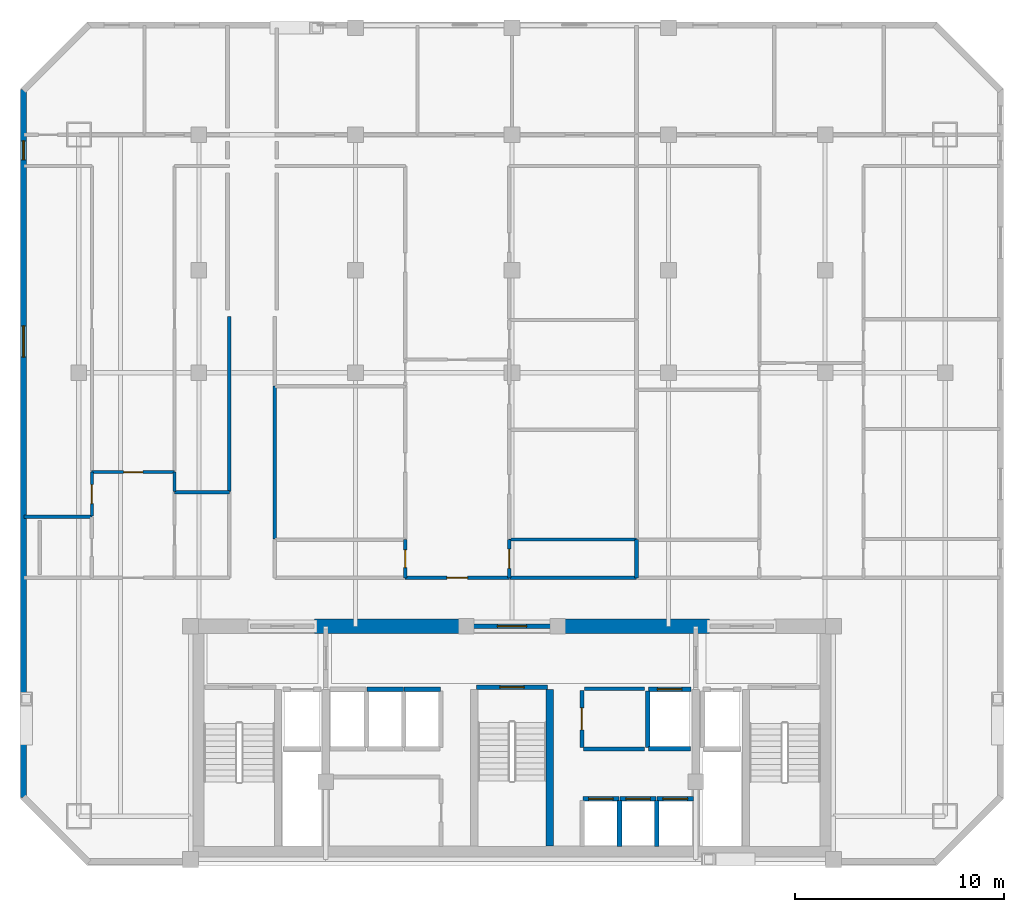
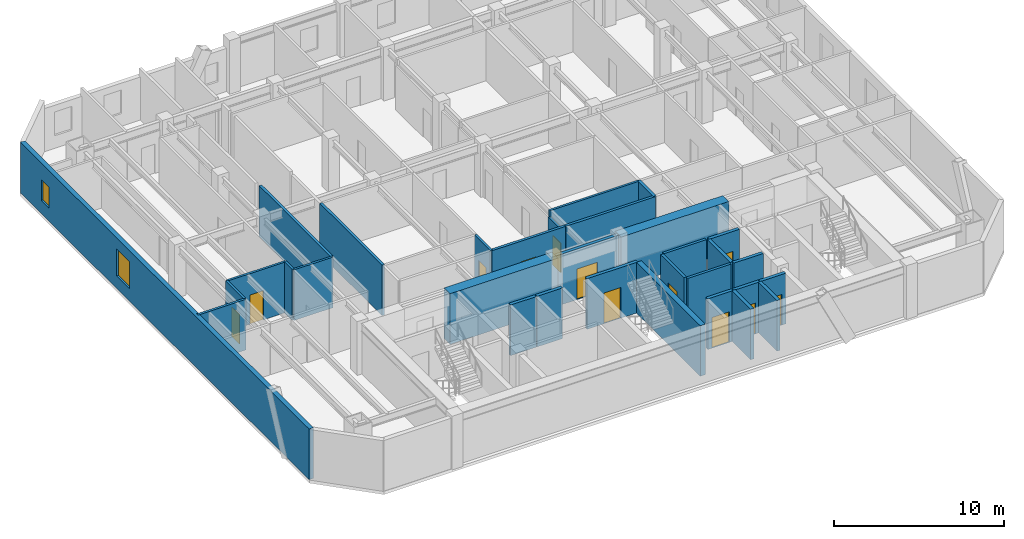
# One storey, part 3 of 8: 32 walls, 12 doors, 2 windows, 14 openings.
"""IFC4 building model written with IfcOpenShell, lengths in metres."""

from ifc_helpers import new_model, si_unit, direction, frame, frame_2d, origin, place, context, subcontext, project, spatial, rectangle, extrude, material, layer, layer_set, type_object, element, fill, save


model = new_model("IFC4")

# Units and contexts
model_context = context("Model", 3, precision=1e-05, world=origin(), true_north=direction((0.0, 1.0)))
body_context = subcontext(model_context, "Body", "Model", "MODEL_VIEW")
ifc_project = project(units=[si_unit("LENGTHUNIT", "METRE"), si_unit("AREAUNIT", "SQUARE_METRE"), si_unit("VOLUMEUNIT", "CUBIC_METRE"), si_unit("PLANEANGLEUNIT", "RADIAN"), si_unit("MASSUNIT", "GRAM", prefix="KILO")], contexts=[model_context])

# Site, building, storey
site_placement = place(None, origin())
site = spatial("IfcSite", under=ifc_project, at=site_placement, CompositionType="ELEMENT")
building_placement = place(site_placement, origin())
building = spatial("IfcBuilding", under=site, at=building_placement, Name="Ventersveld Concourse Tower", CompositionType="ELEMENT")
storey_placement = place(building_placement, frame((0.0, 0.0, 164.449951171875)))
storey = spatial("IfcBuildingStorey", under=building, at=storey_placement, Name="L40", CompositionType="ELEMENT", Elevation=164.449951171875)

# Walls
ifc_material_1 = material(Name="Concrete C60/75", Category="concrete")
ifc_layer_1 = layer(ifc_material_1, 0.35009765625)
ifc_layer_set_1 = layer_set([ifc_layer_1], Name="Concrete C60/75")
wall_type_1 = type_object("IfcWallType", Name="WL-CORE-350L", PredefinedType="SHEAR", material=ifc_layer_set_1)
wall_1_placement = place(storey_placement, frame((30.56005859375, 0.919921875, 0.0), z_axis=(0.0, 0.0, 1.0), x_axis=(0.0, 1.0, 0.0)))
element("IfcWall", 1, at=wall_1_placement, inside=storey, type_object=wall_type_1, Name="L40 Core Internal Shear Web W-ST3-E", PredefinedType="SHEAR", context=body_context, shape_type="SweptSolid", body=[
    extrude(rectangle(XDim=7.5, YDim=0.35009765625, at=frame_2d((3.75, 0.0))), origin(), (0.0, 0.0, 1.0), 3.630126953125),
])
ifc_layer_2 = layer(ifc_material_1, 0.699951171875)
ifc_layer_set_2 = layer_set([ifc_layer_2], Name="Concrete C60/75")
wall_type_2 = type_object("IfcWallType", Name="WL-CORE-700", PredefinedType="SHEAR", material=ifc_layer_set_2)
for number, where, z_axis, x_axis, name in (
    (2, (19.300048828125, 11.449951171875, 0.0), (0.0, 0.0, 1.0), (1.0, 0.0, 0.0), "L40 Rear Core North Shear Wall NML"),
    (3, (30.89990234375, 11.449951171875, 0.0), (0.0, 0.0, 1.0), (1.0, 0.0, 0.0), "L40 Rear Core North Shear Wall NMR"),
):
    element("IfcWall", number, at=place(storey_placement, frame(where, z_axis=z_axis, x_axis=x_axis)), inside=storey, type_object=wall_type_2, Name=name, PredefinedType="SHEAR", context=body_context, shape_type="SweptSolid", body=[
        extrude(rectangle(XDim=7.300048828125, YDim=0.699951171875, at=frame_2d((3.64990234375, 0.0))), origin(), (0.0, 0.0, 1.0), 3.630126953125),
    ])

# Wall, opening, door
ifc_material_2 = material(Name="Fire-rated autoclaved aerated masonry blockwork", Category="masonry")
ifc_layer_3 = layer(ifc_material_2, 0.179931640625)
ifc_layer_set_3 = layer_set([ifc_layer_3], Name="Fire-rated autoclaved aerated masonry blockwork")
wall_type_3 = type_object("IfcWallType", Name="WL-CORR-180", PredefinedType="PARTITIONING", material=ifc_layer_set_3)
wall_2_placement = place(storey_placement, frame((32.10009765625, 5.64990234375, 0.0), z_axis=(0.0, 0.0, 1.0), x_axis=(0.0, 1.0, 0.0)))
wall_2 = element("IfcWall", 4, at=wall_2_placement, inside=storey, type_object=wall_type_3, Name="L40 Core Passage Wall SP-L40-CBAY1", PredefinedType="PARTITIONING", context=body_context, shape_type="SweptSolid", body=[
    extrude(rectangle(XDim=2.72998046875, YDim=0.179931640625, at=frame_2d((1.364990234375, 0.0))), origin(), (0.0, 0.0, 1.0), 3.630126953125),
])
opening_1_placement = place(wall_2_placement, frame((0.840087890625, 0.0, 0.0)))
opening_1 = element("IfcOpeningElement", 5, at=opening_1_placement, cuts=wall_2, Name="Opening ID3", PredefinedType="OPENING", context=body_context, shape_type="SweptSolid", body=[
    extrude(rectangle(XDim=1.050048828125, YDim=2.14990234375, at=frame_2d((0.52490234375, 1.074951171875))), frame((0.0, 0.10009765625, 0.0), z_axis=(0.0, -1.0, 0.0), x_axis=(1.0, 0.0, 0.0)), (0.0, 0.0, 1.0), 0.199951171875),
])
ifc_material_3 = material(Name="Solid-core hardwood veneer timber", Category="wood")
door_type_1 = type_object("IfcDoorType", Name="DR-AWC-105", OperationType="NOTDEFINED", PredefinedType="DOOR", material=ifc_material_3)
door_1_placement = place(opening_1_placement, origin())
door_1 = element("IfcDoor", 6, at=door_1_placement, inside=storey, type_object=door_type_1, Name="L40 Core Room Door L40 Core Unisex Accessible WC (CD-L40-1953)", OperationType="SINGLE_SWING_RIGHT", OverallHeight=2.14990234375, OverallWidth=1.050048828125, PredefinedType="DOOR", context=body_context, shape_type="SweptSolid", body=[
    extrude(rectangle(XDim=1.050048828125, YDim=2.14990234375, at=frame_2d((0.52490234375, 1.074951171875))), frame((0.0, 0.02490234375, 0.0), z_axis=(0.0, -1.0, 0.0), x_axis=(1.0, 0.0, 0.0)), (0.0, 0.0, 1.0), 0.050048828125),
])
fill(opening_1, door_1)

# Walls
wall_3_placement = place(storey_placement, frame((32.219970703125, 8.4599609375, 0.0), z_axis=(0.0, 0.0, 1.0), x_axis=(1.0, 0.0, 0.0)))
element("IfcWall", 7, at=wall_3_placement, inside=storey, type_object=wall_type_3, Name="L40 Core Top Wall SP-L40-CBAY1", PredefinedType="PARTITIONING", context=body_context, shape_type="SweptSolid", body=[
    extrude(rectangle(XDim=2.880126953125, YDim=0.179931640625, at=frame_2d((1.43994140625, 0.0))), origin(), (0.0, 0.0, 1.0), 3.630126953125),
])
wall_4_placement = place(storey_placement, frame((32.179931640625, 5.570068359375, 0.0), z_axis=(0.0, 0.0, 1.0), x_axis=(1.0, 0.0, 0.0)))
element("IfcWall", 8, at=wall_4_placement, inside=storey, type_object=wall_type_3, Name="L40 Core Bot Wall SP-L40-CBAY1", PredefinedType="PARTITIONING", context=body_context, shape_type="SweptSolid", body=[
    extrude(rectangle(XDim=2.920166015625, YDim=0.179931640625, at=frame_2d((1.4599609375, 0.0))), origin(), (0.0, 0.0, 1.0), 3.630126953125),
])
wall_5_placement = place(storey_placement, frame((15.2099609375, 17.905517578125, 0.0), z_axis=(0.0, 0.0, 1.0), x_axis=(0.0, 1.0, 0.0)))
element("IfcWall", 9, at=wall_5_placement, inside=storey, type_object=wall_type_3, Name="L40 Interior Partition SP-L40-COR-SP-L40-40NW-DENR", PredefinedType="PARTITIONING", context=body_context, shape_type="SweptSolid", body=[
    extrude(rectangle(XDim=8.389404296875, YDim=0.179931640625, at=frame_2d((4.19482421875, 0.0))), origin(), (0.0, 0.0, 1.0), 3.630126953125),
])

# Wall, opening, door
wall_6_placement = place(storey_placement, frame((23.63134765625, 13.77001953125, 0.0), z_axis=(0.0, 0.0, 1.0), x_axis=(1.0, 0.0, 0.0)))
wall_6 = element("IfcWall", 10, at=wall_6_placement, inside=storey, type_object=wall_type_3, Name="L40 Interior Partition SP-L40-COR-SP-L40-40N1-FOY", PredefinedType="PARTITIONING", context=body_context, shape_type="SweptSolid", body=[
    extrude(rectangle(XDim=4.989990234375, YDim=0.179931640625, at=frame_2d((2.4951171875, 0.0))), origin(), (0.0, 0.0, 1.0), 3.630126953125),
])
opening_2_placement = place(wall_6_placement, frame((1.9951171875, 0.0, 0.0)))
opening_2 = element("IfcOpeningElement", 11, at=opening_2_placement, cuts=wall_6, Name="Opening FD3", PredefinedType="OPENING", context=body_context, shape_type="SweptSolid", body=[
    extrude(rectangle(XDim=1.0, YDim=2.14990234375, at=frame_2d((0.5, 1.074951171875))), frame((0.0, 0.10009765625, 0.0), z_axis=(0.0, -1.0, 0.0), x_axis=(1.0, 0.0, 0.0)), (0.0, 0.0, 1.0), 0.199951171875),
])
door_type_2 = type_object("IfcDoorType", Name="DR-FLAT-100", OperationType="NOTDEFINED", PredefinedType="DOOR", material=ifc_material_3)
door_2_placement = place(opening_2_placement, origin())
door_2 = element("IfcDoor", 12, at=door_2_placement, inside=storey, type_object=door_type_2, Name="L40 Interior Door SP-L40-COR to SP-L40-40N1-FOY (FD-L40-1955)", OperationType="SINGLE_SWING_LEFT", OverallHeight=2.14990234375, OverallWidth=1.0, PredefinedType="DOOR", context=body_context, shape_type="SweptSolid", body=[
    extrude(rectangle(XDim=1.0, YDim=2.14990234375, at=frame_2d((0.5, 1.074951171875))), frame((0.0, 0.02490234375, 0.0), z_axis=(0.0, -1.0, 0.0), x_axis=(1.0, 0.0, 0.0)), (0.0, 0.0, 1.0), 0.050048828125),
])
fill(opening_2, door_2)

# Walls
wall_7_placement = place(storey_placement, frame((17.389892578125, 15.635009765625, 0.0), z_axis=(0.0, 0.0, 1.0), x_axis=(0.0, 1.0, 0.0)))
element("IfcWall", 13, at=wall_7_placement, inside=storey, type_object=wall_type_3, Name="L40 Interior Partition SP-L40-COR-SP-L40-40N1-OFFL0", PredefinedType="PARTITIONING", context=body_context, shape_type="SweptSolid", body=[
    extrude(rectangle(XDim=7.319580078125, YDim=0.179931640625, at=frame_2d((3.65966796875, 0.0))), origin(), (0.0, 0.0, 1.0), 3.630126953125),
])
wall_8_placement = place(storey_placement, frame((28.6513671875, 13.77001953125, 0.0), z_axis=(0.0, 0.0, 1.0), x_axis=(1.0, 0.0, 0.0)))
element("IfcWall", 14, at=wall_8_placement, inside=storey, type_object=wall_type_3, Name="L40 Interior Partition SP-L40-COR-SP-L40-40N1-KIT", PredefinedType="PARTITIONING", context=body_context, shape_type="SweptSolid", body=[
    extrude(rectangle(XDim=6.07373046875, YDim=0.179931640625, at=frame_2d((3.036865234375, 0.0))), origin(), (0.0, 0.0, 1.0), 3.630126953125),
])
ifc_layer_4 = layer(ifc_material_2, 0.199951171875)
ifc_layer_set_4 = layer_set([ifc_layer_4], Name="Fire-rated autoclaved aerated masonry blockwork")
wall_type_4 = type_object("IfcWallType", Name="WL-DEMISE-200", PredefinedType="PARTITIONING", material=ifc_layer_set_4)
wall_9_placement = place(storey_placement, frame((34.719970703125, 13.764892578125, 0.0), z_axis=(0.0, 0.0, 1.0), x_axis=(0.0, 1.0, 0.0)))
element("IfcWall", 15, at=wall_9_placement, inside=storey, type_object=wall_type_4, Name="L40 Interior Partition SP-L40-40N1-KIT-SP-L40-40N2-BATH", PredefinedType="PARTITIONING", context=body_context, shape_type="SweptSolid", body=[
    extrude(rectangle(XDim=1.840087890625, YDim=0.199951171875, at=frame_2d((0.919921875, 0.0))), origin(), (0.0, 0.0, 1.0), 3.630126953125),
])
ifc_layer_5 = layer(ifc_material_2, 0.219970703125)
ifc_layer_set_5 = layer_set([ifc_layer_5], Name="Fire-rated autoclaved aerated masonry blockwork")
wall_type_5 = type_object("IfcWallType", Name="WL-HOIST-220", PredefinedType="SOLIDWALL", material=ifc_layer_set_5)
wall_10_placement = place(storey_placement, frame((35.300048828125, 5.590087890625, 0.0), z_axis=(0.0, 0.0, 1.0), x_axis=(1.0, 0.0, 0.0)))
element("IfcWall", 16, at=wall_10_placement, inside=storey, type_object=wall_type_5, Name="L40 Lift Hoistway Back Wall SVL-01", PredefinedType="SOLIDWALL", context=body_context, shape_type="SweptSolid", body=[
    extrude(rectangle(XDim=2.0, YDim=0.219970703125, at=frame_2d((1.0, 0.0))), origin(), (0.0, 0.0, 1.0), 3.630126953125),
])
wall_11_placement = place(storey_placement, frame((35.260009765625, 5.64990234375, 0.0), z_axis=(0.0, 0.0, 1.0), x_axis=(0.0, 1.0, 0.0)))
element("IfcWall", 17, at=wall_11_placement, inside=storey, type_object=wall_type_5, Name="L40 Lift Hoistway Side Wall SVL-01W", PredefinedType="SOLIDWALL", context=body_context, shape_type="SweptSolid", body=[
    extrude(rectangle(XDim=2.7001953125, YDim=0.219970703125, at=frame_2d((1.35009765625, 0.0))), origin(), (0.0, 0.0, 1.0), 3.630126953125),
])

# Wall, opening, door
wall_12_placement = place(storey_placement, frame((35.280029296875, 8.429931640625, 0.0), z_axis=(0.0, 0.0, 1.0), x_axis=(1.0, 0.0, 0.0)))
wall_12 = element("IfcWall", 18, at=wall_12_placement, inside=storey, type_object=wall_type_5, Name="L40 Lift Hoistway Front Wall SVL-01", PredefinedType="SOLIDWALL", context=body_context, shape_type="SweptSolid", body=[
    extrude(rectangle(XDim=2.0400390625, YDim=0.219970703125, at=frame_2d((1.02001953125, 0.0))), origin(), (0.0, 0.0, 1.0), 3.630126953125),
])
opening_3_placement = place(wall_12_placement, frame((0.429931640625, 0.0, 0.0)))
opening_3 = element("IfcOpeningElement", 19, at=opening_3_placement, cuts=wall_12, Name="Opening LD2", PredefinedType="OPENING", context=body_context, shape_type="SweptSolid", body=[
    extrude(rectangle(XDim=1.179931640625, YDim=2.199951171875, at=frame_2d((0.58984375, 1.10009765625))), frame((0.0, 0.1201171875, 0.0), z_axis=(0.0, -1.0, 0.0), x_axis=(1.0, 0.0, 0.0)), (0.0, 0.0, 1.0), 0.239990234375),
])
ifc_material_4 = material(Name="Brushed stainless steel 316", Category="steel")
door_type_3 = type_object("IfcDoorType", Name="LD-PAX-118", OperationType="SLIDING_TO_LEFT", PredefinedType="DOOR", material=ifc_material_4)
door_3_placement = place(opening_3_placement, origin())
door_3 = element("IfcDoor", 20, at=door_3_placement, inside=storey, type_object=door_type_3, Name="L40 Lift landing door SVL-01 (LD-L40-SVL-01)", OperationType="SLIDING_TO_LEFT", OverallHeight=2.199951171875, OverallWidth=1.179931640625, PredefinedType="DOOR", context=body_context, shape_type="SweptSolid", body=[
    extrude(rectangle(XDim=1.179931640625, YDim=2.199951171875, at=frame_2d((0.58984375, 1.10009765625))), frame((0.0, 0.02490234375, 0.0), z_axis=(0.0, -1.0, 0.0), x_axis=(1.0, 0.0, 0.0)), (0.0, 0.0, 1.0), 0.050048828125),
])
fill(opening_3, door_3)

# Wall
wall_13_placement = place(storey_placement, frame((33.89990234375, 0.89990234375, 0.0), z_axis=(0.0, 0.0, 1.0), x_axis=(0.0, 1.0, 0.0)))
element("IfcWall", 21, at=wall_13_placement, inside=storey, type_object=wall_type_5, Name="L40 Lift Hoistway Side Wall PM-01E", PredefinedType="SOLIDWALL", context=body_context, shape_type="SweptSolid", body=[
    extrude(rectangle(XDim=2.2001953125, YDim=0.219970703125, at=frame_2d((1.10009765625, 0.0))), origin(), (0.0, 0.0, 1.0), 3.630126953125),
])

# Wall, opening, door
wall_14_placement = place(storey_placement, frame((32.139892578125, 3.179931640625, 0.0), z_axis=(0.0, 0.0, 1.0), x_axis=(1.0, 0.0, 0.0)))
wall_14 = element("IfcWall", 22, at=wall_14_placement, inside=storey, type_object=wall_type_5, Name="L40 Lift Hoistway Front Wall PM-01", PredefinedType="SOLIDWALL", context=body_context, shape_type="SweptSolid", body=[
    extrude(rectangle(XDim=1.739990234375, YDim=0.219970703125, at=frame_2d((0.8701171875, 0.0))), origin(), (0.0, 0.0, 1.0), 3.630126953125),
])
opening_4_placement = place(wall_14_placement, frame((0.280029296875, 0.0, 0.0)))
opening_4 = element("IfcOpeningElement", 23, at=opening_4_placement, cuts=wall_14, Name="Opening LD2", PredefinedType="OPENING", context=body_context, shape_type="SweptSolid", body=[
    extrude(rectangle(XDim=1.179931640625, YDim=2.199951171875, at=frame_2d((0.58984375, 1.10009765625))), frame((0.0, 0.1201171875, 0.0), z_axis=(0.0, -1.0, 0.0), x_axis=(1.0, 0.0, 0.0)), (0.0, 0.0, 1.0), 0.239990234375),
])
door_4_placement = place(opening_4_placement, origin())
door_4 = element("IfcDoor", 24, at=door_4_placement, inside=storey, type_object=door_type_3, Name="L40 Lift landing door PM-01 (LD-L40-PM-01)", OperationType="SLIDING_TO_RIGHT", OverallHeight=2.199951171875, OverallWidth=1.179931640625, PredefinedType="DOOR", context=body_context, shape_type="SweptSolid", body=[
    extrude(rectangle(XDim=1.179931640625, YDim=2.199951171875, at=frame_2d((0.58984375, 1.10009765625))), frame((0.0, 0.02490234375, 0.0), z_axis=(0.0, -1.0, 0.0), x_axis=(1.0, 0.0, 0.0)), (0.0, 0.0, 1.0), 0.050048828125),
])
fill(opening_4, door_4)

# Wall
wall_15_placement = place(storey_placement, frame((35.679931640625, 0.89990234375, 0.0), z_axis=(0.0, 0.0, 1.0), x_axis=(0.0, 1.0, 0.0)))
element("IfcWall", 25, at=wall_15_placement, inside=storey, type_object=wall_type_5, Name="L40 Lift Hoistway Side Wall PM-02E", PredefinedType="SOLIDWALL", context=body_context, shape_type="SweptSolid", body=[
    extrude(rectangle(XDim=2.2001953125, YDim=0.219970703125, at=frame_2d((1.10009765625, 0.0))), origin(), (0.0, 0.0, 1.0), 3.630126953125),
])

# Wall, opening, door
wall_16_placement = place(storey_placement, frame((33.919921875, 3.179931640625, 0.0), z_axis=(0.0, 0.0, 1.0), x_axis=(1.0, 0.0, 0.0)))
wall_16 = element("IfcWall", 26, at=wall_16_placement, inside=storey, type_object=wall_type_5, Name="L40 Lift Hoistway Front Wall PM-02", PredefinedType="SOLIDWALL", context=body_context, shape_type="SweptSolid", body=[
    extrude(rectangle(XDim=1.739990234375, YDim=0.219970703125, at=frame_2d((0.8701171875, 0.0))), origin(), (0.0, 0.0, 1.0), 3.630126953125),
])
opening_5_placement = place(wall_16_placement, frame((0.280029296875, 0.0, 0.0)))
opening_5 = element("IfcOpeningElement", 27, at=opening_5_placement, cuts=wall_16, Name="Opening LD2", PredefinedType="OPENING", context=body_context, shape_type="SweptSolid", body=[
    extrude(rectangle(XDim=1.179931640625, YDim=2.199951171875, at=frame_2d((0.58984375, 1.10009765625))), frame((0.0, 0.1201171875, 0.0), z_axis=(0.0, -1.0, 0.0), x_axis=(1.0, 0.0, 0.0)), (0.0, 0.0, 1.0), 0.239990234375),
])
door_5_placement = place(opening_5_placement, origin())
door_5 = element("IfcDoor", 28, at=door_5_placement, inside=storey, type_object=door_type_3, Name="L40 Lift landing door PM-02 (LD-L40-PM-02)", OperationType="SLIDING_TO_LEFT", OverallHeight=2.199951171875, OverallWidth=1.179931640625, PredefinedType="DOOR", context=body_context, shape_type="SweptSolid", body=[
    extrude(rectangle(XDim=1.179931640625, YDim=2.199951171875, at=frame_2d((0.58984375, 1.10009765625))), frame((0.0, 0.02490234375, 0.0), z_axis=(0.0, -1.0, 0.0), x_axis=(1.0, 0.0, 0.0)), (0.0, 0.0, 1.0), 0.050048828125),
])
fill(opening_5, door_5)

wall_17_placement = place(storey_placement, frame((35.699951171875, 3.179931640625, 0.0), z_axis=(0.0, 0.0, 1.0), x_axis=(1.0, 0.0, 0.0)))
wall_17 = element("IfcWall", 29, at=wall_17_placement, inside=storey, type_object=wall_type_5, Name="L40 Lift Hoistway Front Wall PM-03", PredefinedType="SOLIDWALL", context=body_context, shape_type="SweptSolid", body=[
    extrude(rectangle(XDim=1.739990234375, YDim=0.219970703125, at=frame_2d((0.8701171875, 0.0))), origin(), (0.0, 0.0, 1.0), 3.630126953125),
])
opening_6_placement = place(wall_17_placement, frame((0.280029296875, 0.0, 0.0)))
opening_6 = element("IfcOpeningElement", 30, at=opening_6_placement, cuts=wall_17, Name="Opening LD2", PredefinedType="OPENING", context=body_context, shape_type="SweptSolid", body=[
    extrude(rectangle(XDim=1.179931640625, YDim=2.199951171875, at=frame_2d((0.58984375, 1.10009765625))), frame((0.0, 0.1201171875, 0.0), z_axis=(0.0, -1.0, 0.0), x_axis=(1.0, 0.0, 0.0)), (0.0, 0.0, 1.0), 0.239990234375),
])
door_6_placement = place(opening_6_placement, origin())
door_6 = element("IfcDoor", 31, at=door_6_placement, inside=storey, type_object=door_type_3, Name="L40 Lift landing door PM-03 (LD-L40-PM-03)", OperationType="SLIDING_TO_RIGHT", OverallHeight=2.199951171875, OverallWidth=1.179931640625, PredefinedType="DOOR", context=body_context, shape_type="SweptSolid", body=[
    extrude(rectangle(XDim=1.179931640625, YDim=2.199951171875, at=frame_2d((0.58984375, 1.10009765625))), frame((0.0, 0.02490234375, 0.0), z_axis=(0.0, -1.0, 0.0), x_axis=(1.0, 0.0, 0.0)), (0.0, 0.0, 1.0), 0.050048828125),
])
fill(opening_6, door_6)

# Walls
for number, where, z_axis, x_axis, name in (
    (32, (21.800048828125, 8.429931640625, 0.0), (0.0, 0.0, 1.0), (1.0, 0.0, 0.0), "L40 Lift Hoistway Front Wall PH-02"),
    (33, (23.580078125, 8.429931640625, 0.0), (0.0, 0.0, 1.0), (1.0, 0.0, 0.0), "L40 Lift Hoistway Front Wall PH-03"),
):
    element("IfcWall", number, at=place(storey_placement, frame(where, z_axis=z_axis, x_axis=x_axis)), inside=storey, type_object=wall_type_5, Name=name, PredefinedType="SOLIDWALL", context=body_context, shape_type="SweptSolid", body=[
        extrude(rectangle(XDim=1.739990234375, YDim=0.219970703125, at=frame_2d((0.8701171875, 0.0))), origin(), (0.0, 0.0, 1.0), 3.630126953125),
    ])

# Wall, opening, door
wall_18_placement = place(storey_placement, frame((27.0400390625, 8.52001953125, 0.0), z_axis=(0.0, 0.0, 1.0), x_axis=(1.0, 0.0, 0.0)))
wall_18 = element("IfcWall", 34, at=wall_18_placement, inside=storey, type_object=wall_type_5, Name="L40 Escape Stair ST03 Fire Wall", PredefinedType="SOLIDWALL", context=body_context, shape_type="SweptSolid", body=[
    extrude(rectangle(XDim=3.419921875, YDim=0.219970703125, at=frame_2d((1.7099609375, 0.0))), origin(), (0.0, 0.0, 1.0), 3.630126953125),
])
opening_7_placement = place(wall_18_placement, frame((1.135009765625, 0.0, 0.0)))
opening_7 = element("IfcOpeningElement", 35, at=opening_7_placement, cuts=wall_18, Name="Opening FD1", PredefinedType="OPENING", context=body_context, shape_type="SweptSolid", body=[
    extrude(rectangle(XDim=1.14990234375, YDim=2.199951171875, at=frame_2d((0.574951171875, 1.10009765625))), frame((0.0, 0.1201171875, 0.0), z_axis=(0.0, -1.0, 0.0), x_axis=(1.0, 0.0, 0.0)), (0.0, 0.0, 1.0), 0.239990234375),
])
ifc_material_5 = material(Name="Galvanised painted steel", Category="steel")
door_type_4 = type_object("IfcDoorType", Name="DR-STAIR-115", OperationType="NOTDEFINED", PredefinedType="DOOR", material=ifc_material_5)
door_7_placement = place(opening_7_placement, origin())
door_7 = element("IfcDoor", 36, at=door_7_placement, inside=storey, type_object=door_type_4, Name="L40 Escape Stair Door ST03 (SD-L40-1946)", OperationType="SINGLE_SWING_LEFT", OverallHeight=2.199951171875, OverallWidth=1.14990234375, PredefinedType="DOOR", context=body_context, shape_type="SweptSolid", body=[
    extrude(rectangle(XDim=1.14990234375, YDim=2.199951171875, at=frame_2d((0.574951171875, 1.10009765625))), frame((0.0, 0.02490234375, 0.0), z_axis=(0.0, -1.0, 0.0), x_axis=(1.0, 0.0, 0.0)), (0.0, 0.0, 1.0), 0.050048828125),
])
fill(opening_7, door_7)

wall_19_placement = place(storey_placement, frame((26.6298828125, 11.449951171875, 0.0), z_axis=(0.0, 0.0, 1.0), x_axis=(1.0, 0.0, 0.0)))
wall_19 = element("IfcWall", 37, at=wall_19_placement, inside=storey, type_object=wall_type_5, Name="L40 Core North Fire Portal PLOB-OUT", PredefinedType="SOLIDWALL", context=body_context, shape_type="SweptSolid", body=[
    extrude(rectangle(XDim=4.240234375, YDim=0.219970703125, at=frame_2d((2.1201171875, 0.0))), origin(), (0.0, 0.0, 1.0), 3.630126953125),
])
opening_8_placement = place(wall_19_placement, frame((1.419921875, 0.0, 0.0)))
opening_8 = element("IfcOpeningElement", 38, at=opening_8_placement, cuts=wall_19, Name="Opening FD4", PredefinedType="OPENING", context=body_context, shape_type="SweptSolid", body=[
    extrude(rectangle(XDim=1.39990234375, YDim=2.199951171875, at=frame_2d((0.699951171875, 1.10009765625))), frame((0.0, 0.1201171875, 0.0), z_axis=(0.0, -1.0, 0.0), x_axis=(1.0, 0.0, 0.0)), (0.0, 0.0, 1.0), 0.239990234375),
])
door_type_5 = type_object("IfcDoorType", Name="DR-PLANT-140", OperationType="DOUBLE_DOOR_SINGLE_SWING", PredefinedType="DOOR", material=ifc_material_5)
door_8_placement = place(opening_8_placement, origin())
door_8 = element("IfcDoor", 39, at=door_8_placement, inside=storey, type_object=door_type_5, Name="L40 Core Lobby Fire Door PLOB-OUT (FD-L40-1950)", OperationType="DOUBLE_DOOR_SINGLE_SWING", OverallHeight=2.199951171875, OverallWidth=1.39990234375, PredefinedType="DOOR", context=body_context, shape_type="SweptSolid", body=[
    extrude(rectangle(XDim=1.39990234375, YDim=2.199951171875, at=frame_2d((0.699951171875, 1.10009765625))), frame((0.0, 0.02490234375, 0.0), z_axis=(0.0, -1.0, 0.0), x_axis=(1.0, 0.0, 0.0)), (0.0, 0.0, 1.0), 0.050048828125),
])
fill(opening_8, door_8)

ifc_material_6 = material(Name="Autoclaved aerated masonry blockwork", Category="masonry")
ifc_layer_6 = layer(ifc_material_6, 0.14990234375)
ifc_layer_set_6 = layer_set([ifc_layer_6], Name="Autoclaved aerated masonry blockwork")
wall_type_6 = type_object("IfcWallType", Name="WL-INT-150", PredefinedType="PARTITIONING", material=ifc_layer_set_6)
wall_20_placement = place(storey_placement, frame((8.6162109375, 18.83349609375, 0.0), z_axis=(0.0, 0.0, 1.0), x_axis=(1.0, 0.0, 0.0)))
wall_20 = element("IfcWall", 40, at=wall_20_placement, inside=storey, type_object=wall_type_6, Name="L40 Interior Partition SP-L40-40NW-FOY-SP-L40-40NW-LIV", PredefinedType="PARTITIONING", context=body_context, shape_type="SweptSolid", body=[
    extrude(rectangle(XDim=3.969970703125, YDim=0.14990234375, at=frame_2d((1.98486328125, 0.0))), origin(), (0.0, 0.0, 1.0), 3.630126953125),
])
opening_9_placement = place(wall_20_placement, frame((1.52490234375, 0.0, 0.0)))
opening_9 = element("IfcOpeningElement", 41, at=opening_9_placement, cuts=wall_20, Name="Opening ID1", PredefinedType="OPENING", context=body_context, shape_type="SweptSolid", body=[
    extrude(rectangle(XDim=0.919921875, YDim=2.10009765625, at=frame_2d((0.4599609375, 1.050048828125))), frame((0.0, 0.0849609375, 0.0), z_axis=(0.0, -1.0, 0.0), x_axis=(1.0, 0.0, 0.0)), (0.0, 0.0, 1.0), 0.169921875),
])
door_type_6 = type_object("IfcDoorType", Name="DR-ROOM-092", OperationType="NOTDEFINED", PredefinedType="DOOR", material=ifc_material_3)
door_9_placement = place(opening_9_placement, origin())
door_9 = element("IfcDoor", 42, at=door_9_placement, inside=storey, type_object=door_type_6, Name="L40 Interior Door SP-L40-40NW-FOY to SP-L40-40NW-LIV (D-L40-1957)", OperationType="SINGLE_SWING_LEFT", OverallHeight=2.10009765625, OverallWidth=0.919921875, PredefinedType="DOOR", context=body_context, shape_type="SweptSolid", body=[
    extrude(rectangle(XDim=0.919921875, YDim=2.10009765625, at=frame_2d((0.4599609375, 1.050048828125))), frame((0.0, 0.02490234375, 0.0), z_axis=(0.0, -1.0, 0.0), x_axis=(1.0, 0.0, 0.0)), (0.0, 0.0, 1.0), 0.050048828125),
])
fill(opening_9, door_9)

wall_21_placement = place(storey_placement, frame((8.621337890625, 16.72216796875, 0.0), z_axis=(0.0, 0.0, 1.0), x_axis=(0.0, 1.0, 0.0)))
wall_21 = element("IfcWall", 43, at=wall_21_placement, inside=storey, type_object=wall_type_6, Name="L40 Interior Partition SP-L40-40NW-FOY-SP-L40-40NW-OFFL0", PredefinedType="PARTITIONING", context=body_context, shape_type="SweptSolid", body=[
    extrude(rectangle(XDim=2.1162109375, YDim=0.14990234375, at=frame_2d((1.05810546875, 0.0))), origin(), (0.0, 0.0, 1.0), 3.630126953125),
])
opening_10_placement = place(wall_21_placement, frame((0.59814453125, 0.0, 0.0)))
opening_10 = element("IfcOpeningElement", 44, at=opening_10_placement, cuts=wall_21, Name="Opening ID1", PredefinedType="OPENING", context=body_context, shape_type="SweptSolid", body=[
    extrude(rectangle(XDim=0.919921875, YDim=2.10009765625, at=frame_2d((0.4599609375, 1.050048828125))), frame((0.0, 0.0849609375, 0.0), z_axis=(0.0, -1.0, 0.0), x_axis=(1.0, 0.0, 0.0)), (0.0, 0.0, 1.0), 0.169921875),
])
door_10_placement = place(opening_10_placement, origin())
door_10 = element("IfcDoor", 45, at=door_10_placement, inside=storey, type_object=door_type_6, Name="L40 Interior Door SP-L40-40NW-FOY to SP-L40-40NW-OFFL0 (D-L40-1959)", OperationType="SINGLE_SWING_LEFT", OverallHeight=2.10009765625, OverallWidth=0.919921875, PredefinedType="DOOR", context=body_context, shape_type="SweptSolid", body=[
    extrude(rectangle(XDim=0.919921875, YDim=2.10009765625, at=frame_2d((0.4599609375, 1.050048828125))), frame((0.0, 0.02490234375, 0.0), z_axis=(0.0, -1.0, 0.0), x_axis=(1.0, 0.0, 0.0)), (0.0, 0.0, 1.0), 0.050048828125),
])
fill(opening_10, door_10)

# Walls
wall_22_placement = place(storey_placement, frame((12.581298828125, 17.905517578125, 0.0), z_axis=(0.0, 0.0, 1.0), x_axis=(0.0, 1.0, 0.0)))
element("IfcWall", 46, at=wall_22_placement, inside=storey, type_object=wall_type_6, Name="L40 Interior Partition SP-L40-40NW-FOY-SP-L40-40NW-DENR", PredefinedType="PARTITIONING", context=body_context, shape_type="SweptSolid", body=[
    extrude(rectangle(XDim=0.932861328125, YDim=0.14990234375, at=frame_2d((0.46630859375, 0.0))), origin(), (0.0, 0.0, 1.0), 3.630126953125),
])
wall_23_placement = place(storey_placement, frame((12.576416015625, 17.870361328125, 0.0), z_axis=(0.0, 0.0, 1.0), x_axis=(1.0, 0.0, 0.0)))
element("IfcWall", 47, at=wall_23_placement, inside=storey, type_object=wall_type_6, Name="L40 Interior Partition SP-L40-40NW-KIT-SP-L40-40NW-DENR", PredefinedType="PARTITIONING", context=body_context, shape_type="SweptSolid", body=[
    extrude(rectangle(XDim=2.638671875, YDim=0.14990234375, at=frame_2d((1.3193359375, 0.0))), origin(), (0.0, 0.0, 1.0), 3.630126953125),
])

# Wall, opening, door
wall_24_placement = place(storey_placement, frame((28.6162109375, 13.764892578125, 0.0), z_axis=(0.0, 0.0, 1.0), x_axis=(0.0, 1.0, 0.0)))
wall_24 = element("IfcWall", 48, at=wall_24_placement, inside=storey, type_object=wall_type_6, Name="L40 Interior Partition SP-L40-40N1-FOY-SP-L40-40N1-KIT", PredefinedType="PARTITIONING", context=body_context, shape_type="SweptSolid", body=[
    extrude(rectangle(XDim=1.840087890625, YDim=0.14990234375, at=frame_2d((0.919921875, 0.0))), origin(), (0.0, 0.0, 1.0), 3.1767578125),
])
opening_11_placement = place(wall_24_placement, frame((0.4599609375, 0.0, 0.0)))
opening_11 = element("IfcOpeningElement", 49, at=opening_11_placement, cuts=wall_24, Name="Opening ID1", PredefinedType="OPENING", context=body_context, shape_type="SweptSolid", body=[
    extrude(rectangle(XDim=0.919921875, YDim=2.10009765625, at=frame_2d((0.4599609375, 1.050048828125))), frame((0.0, 0.0849609375, 0.0), z_axis=(0.0, -1.0, 0.0), x_axis=(1.0, 0.0, 0.0)), (0.0, 0.0, 1.0), 0.169921875),
])
door_11_placement = place(opening_11_placement, origin())
door_11 = element("IfcDoor", 50, at=door_11_placement, inside=storey, type_object=door_type_6, Name="L40 Interior Door SP-L40-40N1-FOY to SP-L40-40N1-KIT (D-L40-1969)", OperationType="SINGLE_SWING_LEFT", OverallHeight=2.10009765625, OverallWidth=0.919921875, PredefinedType="DOOR", context=body_context, shape_type="SweptSolid", body=[
    extrude(rectangle(XDim=0.919921875, YDim=2.10009765625, at=frame_2d((0.4599609375, 1.050048828125))), frame((0.0, 0.02490234375, 0.0), z_axis=(0.0, -1.0, 0.0), x_axis=(1.0, 0.0, 0.0)), (0.0, 0.0, 1.0), 0.050048828125),
])
fill(opening_11, door_11)

# Wall
wall_25_placement = place(storey_placement, frame((28.611328125, 15.60009765625, 0.0), z_axis=(0.0, 0.0, 1.0), x_axis=(1.0, 0.0, 0.0)))
element("IfcWall", 51, at=wall_25_placement, inside=storey, type_object=wall_type_6, Name="L40 Interior Partition SP-L40-40N1-KIT-SP-L40-40N1-DENR", PredefinedType="PARTITIONING", context=body_context, shape_type="SweptSolid", body=[
    extrude(rectangle(XDim=6.11376953125, YDim=0.14990234375, at=frame_2d((3.056884765625, 0.0))), origin(), (0.0, 0.0, 1.0), 3.630126953125),
])

# Wall, openings, windows
ifc_material_7 = material(Name="Precast concrete C45/55", Category="concrete")
ifc_layer_7 = layer(ifc_material_7, 0.300048828125)
ifc_layer_set_7 = layer_set([ifc_layer_7], Name="Precast concrete C45/55")
wall_type_7 = type_object("IfcWallType", Name="WL-PREC-300", PredefinedType="SOLIDWALL", material=ifc_layer_set_7)
wall_26_placement = place(storey_placement, frame((5.35009765625, 37.159912109375, 0.0), z_axis=(0.0, 0.0, 1.0), x_axis=(0.0, -1.0, 0.0)))
wall_26 = element("IfcWall", 52, at=wall_26_placement, inside=storey, type_object=wall_type_7, Name="L40 Highveld Precast Facade Wall E07", PredefinedType="SOLIDWALL", context=body_context, shape_type="SweptSolid", body=[
    extrude(rectangle(XDim=33.919921875, YDim=0.300048828125, at=frame_2d((16.9599609375, 0.0))), origin(), (0.0, 0.0, 1.0), 3.630126953125),
])
opening_12_placement = place(wall_26_placement, frame((2.4599609375, 0.0, 0.949951171875)))
opening_12 = element("IfcOpeningElement", 53, at=opening_12_placement, cuts=wall_26, Name="Opening W4", PredefinedType="OPENING", context=body_context, shape_type="SweptSolid", body=[
    extrude(rectangle(XDim=0.89990234375, YDim=1.5, at=frame_2d((0.449951171875, 0.75))), frame((0.0, 0.16015625, 0.0), z_axis=(0.0, -1.0, 0.0), x_axis=(1.0, 0.0, 0.0)), (0.0, 0.0, 1.0), 0.320068359375),
])
opening_13_placement = place(wall_26_placement, frame((11.31640625, 0.0, 0.89990234375)))
opening_13 = element("IfcOpeningElement", 54, at=opening_13_placement, cuts=wall_26, Name="Opening W1", PredefinedType="OPENING", context=body_context, shape_type="SweptSolid", body=[
    extrude(rectangle(XDim=1.5, YDim=1.949951171875, at=frame_2d((0.75, 0.97509765625))), frame((0.0, 0.16015625, 0.0), z_axis=(0.0, -1.0, 0.0), x_axis=(1.0, 0.0, 0.0)), (0.0, 0.0, 1.0), 0.320068359375),
])
ifc_material_8 = material(Name="Tempered acoustic Low-E IGU", Category="glass")
window_type_1 = type_object("IfcWindowType", Name="WIN-090x150", PartitioningType="SINGLE_PANEL", PredefinedType="WINDOW", material=ifc_material_8)
window_1_placement = place(opening_12_placement, origin())
window_1 = element("IfcWindow", 55, at=window_1_placement, inside=storey, type_object=window_type_1, Name="L40 Punched Low-E Window W-0532", OverallHeight=1.5, OverallWidth=0.89990234375, PartitioningType="SINGLE_PANEL", PredefinedType="WINDOW", context=body_context, shape_type="SweptSolid", body=[
    extrude(rectangle(XDim=0.89990234375, YDim=1.5, at=frame_2d((0.449951171875, 0.75))), frame((0.0, 0.030029296875, 0.0), z_axis=(0.0, -1.0, 0.0), x_axis=(1.0, 0.0, 0.0)), (0.0, 0.0, 1.0), 0.06005859375),
])
fill(opening_12, window_1)
window_type_2 = type_object("IfcWindowType", Name="WIN-150x210", PartitioningType="SINGLE_PANEL", PredefinedType="WINDOW", material=ifc_material_8)
window_2_placement = place(opening_13_placement, origin())
window_2 = element("IfcWindow", 56, at=window_2_placement, inside=storey, type_object=window_type_2, Name="L40 Punched Low-E Window W-0533", OverallHeight=1.949951171875, OverallWidth=1.5, PartitioningType="SINGLE_PANEL", PredefinedType="WINDOW", context=body_context, shape_type="SweptSolid", body=[
    extrude(rectangle(XDim=1.5, YDim=1.949951171875, at=frame_2d((0.75, 0.97509765625))), frame((0.0, 0.030029296875, 0.0), z_axis=(0.0, -1.0, 0.0), x_axis=(1.0, 0.0, 0.0)), (0.0, 0.0, 1.0), 0.06005859375),
])
fill(opening_13, window_2)

# Wall
ifc_layer_8 = layer(ifc_material_6, 0.1650390625)
ifc_layer_set_8 = layer_set([ifc_layer_8], Name="Autoclaved aerated masonry blockwork")
wall_type_8 = type_object("IfcWallType", Name="WL-WET-165", PredefinedType="PLUMBINGWALL", material=ifc_layer_set_8)
wall_27_placement = place(storey_placement, frame((5.37255859375, 16.68701171875, 0.0), z_axis=(0.0, 0.0, 1.0), x_axis=(1.0, 0.0, 0.0)))
element("IfcWall", 57, at=wall_27_placement, inside=storey, type_object=wall_type_8, Name="L40 Interior Partition SP-L40-40NW-BATH-SP-L40-40NW-OFFL0", PredefinedType="PLUMBINGWALL", context=body_context, shape_type="SweptSolid", body=[
    extrude(rectangle(XDim=3.253662109375, YDim=0.1650390625, at=frame_2d((1.626953125, 0.0))), origin(), (0.0, 0.0, 1.0), 3.630126953125),
])

# Wall, opening, door
wall_28_placement = place(storey_placement, frame((23.63623046875, 13.764892578125, 0.0), z_axis=(0.0, 0.0, 1.0), x_axis=(0.0, 1.0, 0.0)))
wall_28 = element("IfcWall", 58, at=wall_28_placement, inside=storey, type_object=wall_type_8, Name="L40 Interior Partition SP-L40-40N1-FOY-SP-L40-40N1-BATH", PredefinedType="PLUMBINGWALL", context=body_context, shape_type="SweptSolid", body=[
    extrude(rectangle(XDim=1.840087890625, YDim=0.1650390625, at=frame_2d((0.919921875, 0.0))), origin(), (0.0, 0.0, 1.0), 3.630126953125),
])
opening_14_placement = place(wall_28_placement, frame((0.4951171875, 0.0, 0.0)))
opening_14 = element("IfcOpeningElement", 59, at=opening_14_placement, cuts=wall_28, Name="Opening ID2", PredefinedType="OPENING", context=body_context, shape_type="SweptSolid", body=[
    extrude(rectangle(XDim=0.85009765625, YDim=2.10009765625, at=frame_2d((0.425048828125, 1.050048828125))), frame((0.0, 0.092529296875, 0.0), z_axis=(0.0, -1.0, 0.0), x_axis=(1.0, 0.0, 0.0)), (0.0, 0.0, 1.0), 0.18505859375),
])
door_type_7 = type_object("IfcDoorType", Name="DR-BATH-085", OperationType="NOTDEFINED", PredefinedType="DOOR", material=ifc_material_3)
door_12_placement = place(opening_14_placement, origin())
door_12 = element("IfcDoor", 60, at=door_12_placement, inside=storey, type_object=door_type_7, Name="L40 Interior Door SP-L40-40N1-FOY to SP-L40-40N1-BATH (D-L40-1966)", OperationType="SINGLE_SWING_RIGHT", OverallHeight=2.10009765625, OverallWidth=0.85009765625, PredefinedType="DOOR", context=body_context, shape_type="SweptSolid", body=[
    extrude(rectangle(XDim=0.85009765625, YDim=2.10009765625, at=frame_2d((0.425048828125, 1.050048828125))), frame((0.0, 0.02490234375, 0.0), z_axis=(0.0, -1.0, 0.0), x_axis=(1.0, 0.0, 0.0)), (0.0, 0.0, 1.0), 0.050048828125),
])
fill(opening_14, door_12)

save(model, "model.ifc")
